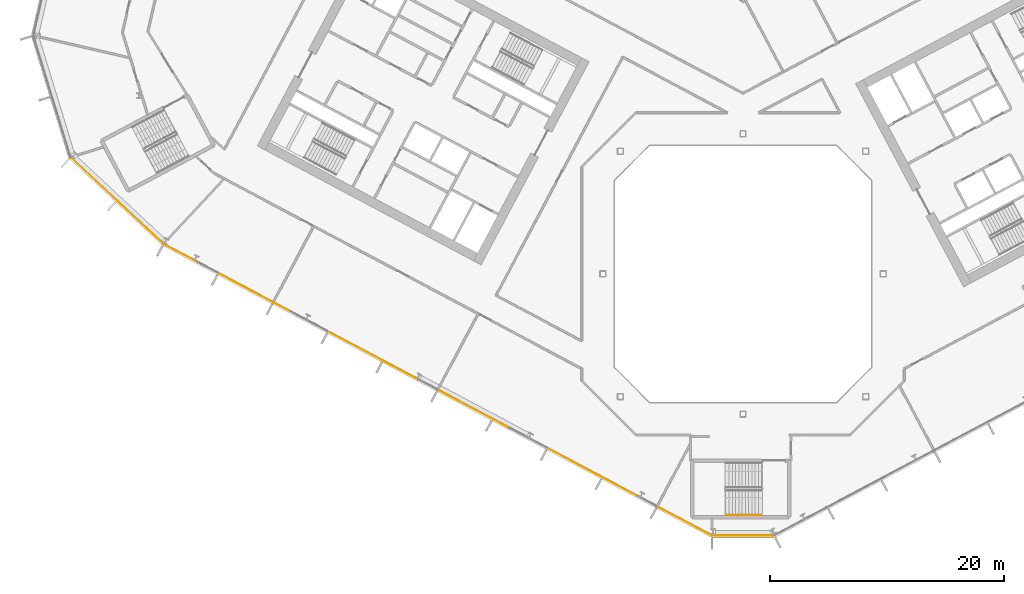
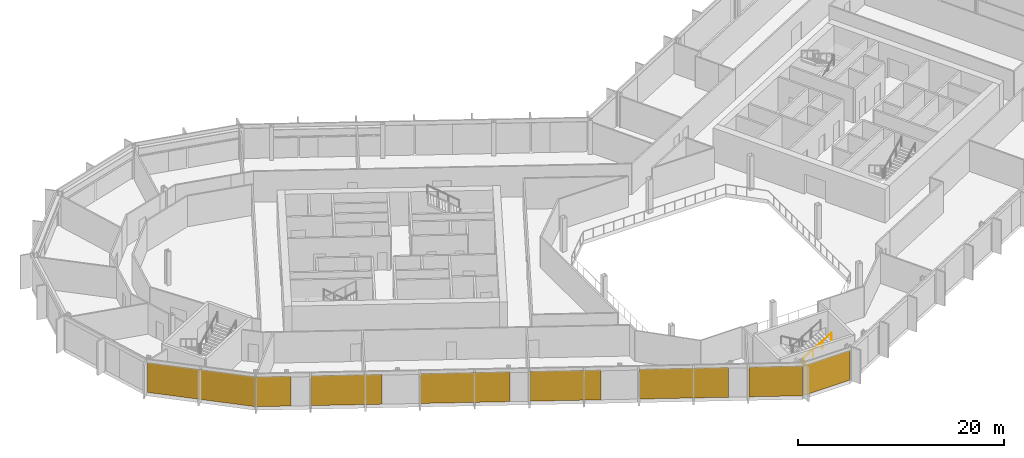
# One storey, part 24 of 34: 8 coverings, 1 railing, 3 elements without a shape of their own.
"""IFC4 building model written with IfcOpenShell, lengths in metres."""

from ifc_helpers import new_model, si_unit, direction, frame, origin, origin_2d, place, context, subcontext, project, spatial, polyline, rectangle, outline, extrude, material, layer, layer_set, type_object, element, aggregate, save


model = new_model("IFC4")

# Units and contexts
model_context = context("Model", 3, precision=1e-05, world=origin(), true_north=direction((0.0, 1.0)))
body_context = subcontext(model_context, "Body", "Model", "MODEL_VIEW")
ifc_project = project(units=[si_unit("LENGTHUNIT", "METRE"), si_unit("AREAUNIT", "SQUARE_METRE"), si_unit("VOLUMEUNIT", "CUBIC_METRE"), si_unit("PLANEANGLEUNIT", "RADIAN"), si_unit("MASSUNIT", "GRAM", prefix="KILO")], contexts=[model_context])

# Site, building, storey
site_placement = place(None, origin())
site = spatial("IfcSite", under=ifc_project, at=site_placement, CompositionType="ELEMENT")
building_placement = place(site_placement, origin())
building = spatial("IfcBuilding", under=site, at=building_placement, Name="Cormorant Relay Tower", CompositionType="ELEMENT")
storey_placement = place(building_placement, frame((0.0, 0.0, 118.199951171875)))
storey = spatial("IfcBuildingStorey", under=building, at=storey_placement, Name="L23", CompositionType="ELEMENT", Elevation=118.199951171875)

# Curtain wall, covering
ifc_material_1 = material(Name="Aluminium 6063-T6 anodised bronze", Category="aluminium")
ifc_layer_1 = layer(ifc_material_1, 0.199951171875)
ifc_layer_set_1 = layer_set([ifc_layer_1], Name="CW1 unitised bronze curtain wall with vertical fins")
curtain_wall_type = type_object("IfcCurtainWallType", Name="CW1 unitised bronze curtain wall with vertical fins", PredefinedType="NOTDEFINED", material=ifc_layer_set_1)
curtain_wall_1_placement = place(storey_placement, origin())
curtain_wall_1 = element("IfcCurtainWall", 1, at=curtain_wall_1_placement, inside=storey, type_object=curtain_wall_type, Name="CW1 curtain wall 1", PredefinedType="NOTDEFINED")
ifc_material_2 = material(Name="Pale bronze anodised aluminium insulated panel", Category="aluminium")
ifc_layer_2 = layer(ifc_material_2, 0.0400390625)
ifc_layer_set_2 = layer_set([ifc_layer_2], Name="CW1 pale bronze insulated panel 40")
covering_type = type_object("IfcCoveringType", Name="CW1 pale bronze insulated panel 40", PredefinedType="CLADDING", material=ifc_layer_set_2)
covering_1_placement = place(storey_placement, frame((0.03759765625, -22.3955078125, 0.0), z_axis=(0.0, 0.0, 1.0), x_axis=(1.0, 0.0, 0.0)))
covering_1 = element("IfcCovering", 2, at=covering_1_placement, type_object=covering_type, Name="CW1 panel S00", PredefinedType="CLADDING", context=body_context, shape_type="SweptSolid", body=[
    extrude(rectangle(XDim=5.22265625, YDim=0.0400390625, at=origin_2d()), origin(), (0.0, 0.0, 1.0), 3.550048828125),
])
aggregate(curtain_wall_1, [covering_1])

curtain_wall_2_placement = place(storey_placement, origin())
curtain_wall_2 = element("IfcCurtainWall", 3, at=curtain_wall_2_placement, inside=storey, type_object=curtain_wall_type, Name="CW1 curtain wall 15", PredefinedType="NOTDEFINED")
covering_2_placement = place(storey_placement, frame((-53.552734375, 6.2509765625, 0.0), z_axis=(0.0, 0.0, 1.0), x_axis=(0.731353701619, -0.681998360062, 0.0)))
covering_2 = element("IfcCovering", 4, at=covering_2_placement, type_object=covering_type, Name="CW1 panel S00", PredefinedType="CLADDING", context=body_context, shape_type="SweptSolid", body=[
    extrude(rectangle(XDim=10.79541015625, YDim=0.0400390625, at=origin_2d()), origin(), (0.0, 0.0, 1.0), 3.550048828125),
])
aggregate(curtain_wall_2, [covering_2])

# Curtain wall, coverings
curtain_wall_3_placement = place(storey_placement, origin())
curtain_wall_3 = element("IfcCurtainWall", 5, at=curtain_wall_3_placement, inside=storey, type_object=curtain_wall_type, Name="CW1 curtain wall 16", PredefinedType="NOTDEFINED")
covering_3_placement = place(storey_placement, frame((-48.048583984375, 1.7412109375, 0.0), z_axis=(0.0, 0.0, 1.0), x_axis=(0.882947592859, -0.469471562786, 0.0)))
covering_3 = element("IfcCovering", 6, at=covering_3_placement, type_object=covering_type, Name="CW1 panel S00", PredefinedType="CLADDING", context=body_context, shape_type="SweptSolid", body=[
    extrude(rectangle(XDim=3.36669921875, YDim=0.0400390625, at=origin_2d()), origin(), (0.0, 0.0, 1.0), 3.550048828125),
])
covering_4_placement = place(storey_placement, frame((-41.8017578125, -1.580322265625, 0.0), z_axis=(0.0, 0.0, 1.0), x_axis=(0.882947592859, -0.469471562786, 0.0)))
covering_4 = element("IfcCovering", 7, at=covering_4_placement, type_object=covering_type, Name="CW1 panel S02", PredefinedType="CLADDING", context=body_context, shape_type="SweptSolid", body=[
    extrude(rectangle(XDim=6.88330078125, YDim=0.0400390625, at=origin_2d()), origin(), (0.0, 0.0, 1.0), 3.550048828125),
])
covering_5_placement = place(storey_placement, frame((-31.618408203125, -6.994873046875, 0.0), z_axis=(0.0, 0.0, 1.0), x_axis=(0.882947592859, -0.469471562786, 0.0)))
covering_5 = element("IfcCovering", 8, at=covering_5_placement, type_object=covering_type, Name="CW1 panel S04", PredefinedType="CLADDING", context=body_context, shape_type="SweptSolid", body=[
    extrude(rectangle(XDim=8.68310546875, YDim=0.0400390625, at=origin_2d()), origin(), (0.0, 0.0, 1.0), 3.550048828125),
])
covering_6_placement = place(storey_placement, frame((-23.024658203125, -11.564208984375, 0.0), z_axis=(0.0, 0.0, 1.0), x_axis=(0.882947592859, -0.469471562786, 0.0)))
covering_6 = element("IfcCovering", 9, at=covering_6_placement, type_object=covering_type, Name="CW1 panel S06", PredefinedType="CLADDING", context=body_context, shape_type="SweptSolid", body=[
    extrude(rectangle(XDim=6.88330078125, YDim=0.0400390625, at=origin_2d()), origin(), (0.0, 0.0, 1.0), 3.550048828125),
])
covering_7_placement = place(storey_placement, frame((-12.84130859375, -16.978759765625, 0.0), z_axis=(0.0, 0.0, 1.0), x_axis=(0.882947592859, -0.469471562786, 0.0)))
covering_7 = element("IfcCovering", 10, at=covering_7_placement, type_object=covering_type, Name="CW1 panel S08", PredefinedType="CLADDING", context=body_context, shape_type="SweptSolid", body=[
    extrude(rectangle(XDim=8.68310546875, YDim=0.0400390625, at=origin_2d()), origin(), (0.0, 0.0, 1.0), 3.550048828125),
])
covering_8_placement = place(storey_placement, frame((-4.972412109375, -21.162841796875, 0.0), z_axis=(0.0, 0.0, 1.0), x_axis=(0.882947592859, -0.469471562786, 0.0)))
covering_8 = element("IfcCovering", 11, at=covering_8_placement, type_object=covering_type, Name="CW1 panel S10", PredefinedType="CLADDING", context=body_context, shape_type="SweptSolid", body=[
    extrude(rectangle(XDim=5.24169921875, YDim=0.0400390625, at=origin_2d()), origin(), (0.0, 0.0, 1.0), 3.550048828125),
])
aggregate(curtain_wall_3, [covering_3, covering_4, covering_5, covering_6, covering_7, covering_8])

# Railing
ifc_material_3 = material(Name="Steel ASTM A572 Grade 50 (Fy 345 MPa)", Category="steel")
railing_type = type_object("IfcRailingType", Name="Stair handrail 900", PredefinedType="HANDRAIL", material=ifc_material_3)
railing_placement = place(storey_placement, frame((-1.47998046875, -20.625, 2.166748046875)))
element("IfcRailing", 12, at=railing_placement, inside=storey, type_object=railing_type, Name="L23 RK1 stair handrail 2", PredefinedType="HANDRAIL", context=body_context, shape_type="SweptSolid", body=[
    extrude(outline(polyline([(0.022216796875, 0.00927734375), (0.00927734375, 0.022216796875), (-0.00927734375, 0.022216796875), (-0.022216796875, 0.00927734375), (-0.022216796875, -0.00927734375), (-0.00927734375, -0.022216796875), (0.00927734375, -0.022216796875), (0.022216796875, -0.00927734375), (0.022216796875, 0.00927734375)])), frame((0.0, 0.0, 0.8759765625), z_axis=(0.859308565015, 0.0, 0.511457515432), x_axis=(0.0, 1.0, 0.0)), (0.0, 0.0, 1.0), 3.58447265625),
    extrude(outline(polyline([(0.019287109375, 0.008056640625), (0.008056640625, 0.019287109375), (-0.008056640625, 0.019287109375), (-0.019287109375, 0.008056640625), (-0.019287109375, -0.008056640625), (-0.008056640625, -0.019287109375), (0.008056640625, -0.019287109375), (0.019287109375, -0.008056640625), (0.019287109375, 0.008056640625)])), origin(), (0.0, 0.0, 1.0), 0.851806640625),
    extrude(outline(polyline([(0.019287109375, 0.008056640625), (0.008056640625, 0.019287109375), (-0.008056640625, 0.019287109375), (-0.019287109375, 0.008056640625), (-0.019287109375, -0.008056640625), (-0.008056640625, -0.019287109375), (0.008056640625, -0.019287109375), (0.019287109375, -0.008056640625), (0.019287109375, 0.008056640625)])), frame((1.026611328125, 0.0, 0.611083984375)), (0.0, 0.0, 1.0), 0.851806640625),
    extrude(outline(polyline([(0.019287109375, 0.008056640625), (0.008056640625, 0.019287109375), (-0.008056640625, 0.019287109375), (-0.019287109375, 0.008056640625), (-0.019287109375, -0.008056640625), (-0.008056640625, -0.019287109375), (0.008056640625, -0.019287109375), (0.019287109375, -0.008056640625), (0.019287109375, 0.008056640625)])), frame((2.053466796875, 0.0, 1.22216796875)), (0.0, 0.0, 1.0), 0.851806640625),
    extrude(outline(polyline([(0.019287109375, 0.008056640625), (0.008056640625, 0.019287109375), (-0.008056640625, 0.019287109375), (-0.019287109375, 0.008056640625), (-0.019287109375, -0.008056640625), (-0.008056640625, -0.019287109375), (0.008056640625, -0.019287109375), (0.019287109375, -0.008056640625), (0.019287109375, 0.008056640625)])), frame((3.080078125, 0.0, 1.833251953125)), (0.0, 0.0, 1.0), 0.851806640625),
])

save(model, "model.ifc")
